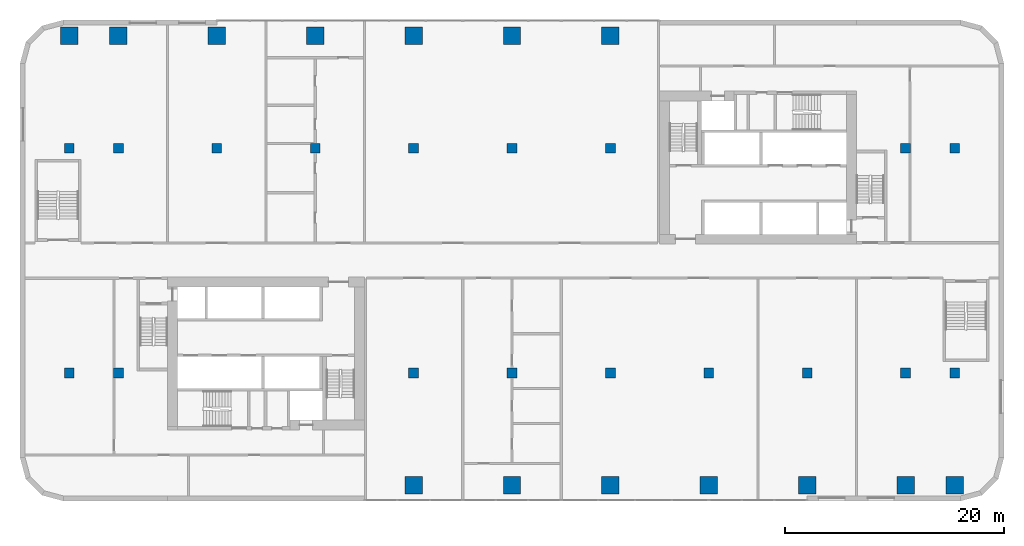
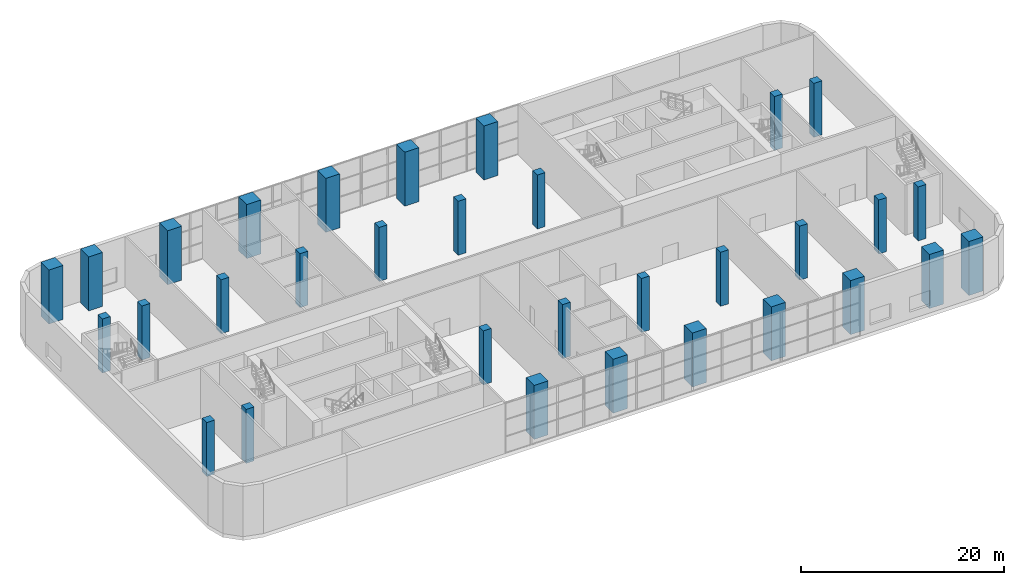
# One storey, part 1 of 24: 32 columns.
"""IFC4 building model written with IfcOpenShell, lengths in metres."""

from ifc_helpers import new_model, si_unit, direction, frame, origin, origin_2d, place, context, subcontext, project, spatial, rectangle, extrude, material, material_profile, profile_set, type_object, element, save


model = new_model("IFC4")

# Units and contexts
model_context = context("Model", 3, precision=1e-05, world=origin(), true_north=direction((0.0, 1.0)))
body_context = subcontext(model_context, "Body", "Model", "MODEL_VIEW")
ifc_project = project(units=[si_unit("LENGTHUNIT", "METRE"), si_unit("AREAUNIT", "SQUARE_METRE"), si_unit("VOLUMEUNIT", "CUBIC_METRE"), si_unit("PLANEANGLEUNIT", "RADIAN"), si_unit("MASSUNIT", "GRAM", prefix="KILO")], contexts=[model_context])

# Site, building, storey
site_placement = place(None, origin())
site = spatial("IfcSite", under=ifc_project, at=site_placement, CompositionType="ELEMENT")
building_placement = place(site_placement, origin())
building = spatial("IfcBuilding", under=site, at=building_placement, Name="Kajstack Hotel Tower", CompositionType="ELEMENT")
storey_placement = place(building_placement, frame((0.0, 0.0, 17.0)))
storey = spatial("IfcBuildingStorey", under=building, at=storey_placement, Name="L02", CompositionType="ELEMENT", Elevation=17.0)

# Columns
ifc_material_1 = material(Name="Concrete C70/85", Category="concrete")
ifc_material_profile_1 = material_profile(ifc_material_1, rectangle(XDim=1.60009765625, YDim=1.60009765625, at=origin_2d()), Name="RC 1600x1600")
ifc_profile_set_1 = profile_set([ifc_material_profile_1], Name="Concrete C70/85")
column_type_1 = type_object("IfcColumnType", Name="RC 1600x1600 C70/85", PredefinedType="COLUMN", material=ifc_profile_set_1)
for number, where, z_axis, x_axis, name in (
    (1, (-40.5, 20.550048828125, 0.0), (0.0, 0.0, 1.0), (1.0, 0.0, 0.0), "S-col-mega-L02--40p5+20p6"),
    (2, (-36.0, 20.550048828125, 0.0), (0.0, 0.0, 1.0), (1.0, 0.0, 0.0), "S-col-mega-L02--36p0+20p6"),
    (3, (-27.0, 20.550048828125, 0.0), (0.0, 0.0, 1.0), (1.0, 0.0, 0.0), "S-col-mega-L02--27p0+20p6"),
    (4, (-18.0, 20.550048828125, 0.0), (0.0, 0.0, 1.0), (1.0, 0.0, 0.0), "S-col-mega-L02--18p0+20p6"),
    (5, (-9.0, -20.550048828125, 0.0), (0.0, 0.0, 1.0), (1.0, 0.0, 0.0), "S-col-mega-L02--9p0-20p6"),
    (6, (-9.0, 20.550048828125, 0.0), (0.0, 0.0, 1.0), (1.0, 0.0, 0.0), "S-col-mega-L02--9p0+20p6"),
    (7, (0.0, -20.550048828125, 0.0), (0.0, 0.0, 1.0), (1.0, 0.0, 0.0), "S-col-mega-L02-+0p0-20p6"),
    (8, (0.0, 20.550048828125, 0.0), (0.0, 0.0, 1.0), (1.0, 0.0, 0.0), "S-col-mega-L02-+0p0+20p6"),
    (9, (9.0, -20.550048828125, 0.0), (0.0, 0.0, 1.0), (1.0, 0.0, 0.0), "S-col-mega-L02-+9p0-20p6"),
    (10, (9.0, 20.550048828125, 0.0), (0.0, 0.0, 1.0), (1.0, 0.0, 0.0), "S-col-mega-L02-+9p0+20p6"),
    (11, (18.0, -20.550048828125, 0.0), (0.0, 0.0, 1.0), (1.0, 0.0, 0.0), "S-col-mega-L02-+18p0-20p6"),
    (12, (27.0, -20.550048828125, 0.0), (0.0, 0.0, 1.0), (1.0, 0.0, 0.0), "S-col-mega-L02-+27p0-20p6"),
    (13, (36.0, -20.550048828125, 0.0), (0.0, 0.0, 1.0), (1.0, 0.0, 0.0), "S-col-mega-L02-+36p0-20p6"),
    (14, (40.5, -20.550048828125, 0.0), (0.0, 0.0, 1.0), (1.0, 0.0, 0.0), "S-col-mega-L02-+40p5-20p6"),
):
    element("IfcColumn", number, at=place(storey_placement, frame(where, z_axis=z_axis, x_axis=x_axis)), inside=storey, type_object=column_type_1, Name=name, PredefinedType="COLUMN", context=body_context, shape_type="SweptSolid", body=[
        extrude(rectangle(XDim=1.60009765625, YDim=1.60009765625, at=origin_2d()), origin(), (0.0, 0.0, 1.0), 6.5),
    ])
ifc_material_2 = material(Name="Concrete C50/60", Category="concrete")
ifc_material_profile_2 = material_profile(ifc_material_2, rectangle(XDim=0.89990234375, YDim=0.89990234375, at=origin_2d()), Name="RC 900x900")
ifc_profile_set_2 = profile_set([ifc_material_profile_2], Name="Concrete C50/60")
column_type_2 = type_object("IfcColumnType", Name="RC 900x900 C50/60", PredefinedType="COLUMN", material=ifc_profile_set_2)
for number, where, z_axis, x_axis, name in (
    (15, (-40.5, -10.27490234375, 0.0), (0.0, 0.0, 1.0), (1.0, 0.0, 0.0), "S-col-int-L02--40p5-10p3"),
    (16, (-40.5, 10.27490234375, 0.0), (0.0, 0.0, 1.0), (1.0, 0.0, 0.0), "S-col-int-L02--40p5+10p3"),
    (17, (-36.0, -10.27490234375, 0.0), (0.0, 0.0, 1.0), (1.0, 0.0, 0.0), "S-col-int-L02--36p0-10p3"),
    (18, (-36.0, 10.27490234375, 0.0), (0.0, 0.0, 1.0), (1.0, 0.0, 0.0), "S-col-int-L02--36p0+10p3"),
    (19, (-27.0, 10.27490234375, 0.0), (0.0, 0.0, 1.0), (1.0, 0.0, 0.0), "S-col-int-L02--27p0+10p3"),
    (20, (-18.0, 10.27490234375, 0.0), (0.0, 0.0, 1.0), (1.0, 0.0, 0.0), "S-col-int-L02--18p0+10p3"),
    (21, (-9.0, -10.27490234375, 0.0), (0.0, 0.0, 1.0), (1.0, 0.0, 0.0), "S-col-int-L02--9p0-10p3"),
    (22, (-9.0, 10.27490234375, 0.0), (0.0, 0.0, 1.0), (1.0, 0.0, 0.0), "S-col-int-L02--9p0+10p3"),
    (23, (0.0, -10.27490234375, 0.0), (0.0, 0.0, 1.0), (1.0, 0.0, 0.0), "S-col-int-L02-+0p0-10p3"),
    (24, (0.0, 10.27490234375, 0.0), (0.0, 0.0, 1.0), (1.0, 0.0, 0.0), "S-col-int-L02-+0p0+10p3"),
    (25, (9.0, -10.27490234375, 0.0), (0.0, 0.0, 1.0), (1.0, 0.0, 0.0), "S-col-int-L02-+9p0-10p3"),
    (26, (9.0, 10.27490234375, 0.0), (0.0, 0.0, 1.0), (1.0, 0.0, 0.0), "S-col-int-L02-+9p0+10p3"),
    (27, (18.0, -10.27490234375, 0.0), (0.0, 0.0, 1.0), (1.0, 0.0, 0.0), "S-col-int-L02-+18p0-10p3"),
    (28, (27.0, -10.27490234375, 0.0), (0.0, 0.0, 1.0), (1.0, 0.0, 0.0), "S-col-int-L02-+27p0-10p3"),
    (29, (36.0, -10.27490234375, 0.0), (0.0, 0.0, 1.0), (1.0, 0.0, 0.0), "S-col-int-L02-+36p0-10p3"),
    (30, (36.0, 10.27490234375, 0.0), (0.0, 0.0, 1.0), (1.0, 0.0, 0.0), "S-col-int-L02-+36p0+10p3"),
    (31, (40.5, -10.27490234375, 0.0), (0.0, 0.0, 1.0), (1.0, 0.0, 0.0), "S-col-int-L02-+40p5-10p3"),
    (32, (40.5, 10.27490234375, 0.0), (0.0, 0.0, 1.0), (1.0, 0.0, 0.0), "S-col-int-L02-+40p5+10p3"),
):
    element("IfcColumn", number, at=place(storey_placement, frame(where, z_axis=z_axis, x_axis=x_axis)), inside=storey, type_object=column_type_2, Name=name, PredefinedType="COLUMN", context=body_context, shape_type="SweptSolid", body=[
        extrude(rectangle(XDim=0.89990234375, YDim=0.89990234375, at=origin_2d()), origin(), (0.0, 0.0, 1.0), 6.5),
    ])

save(model, "model.ifc")
